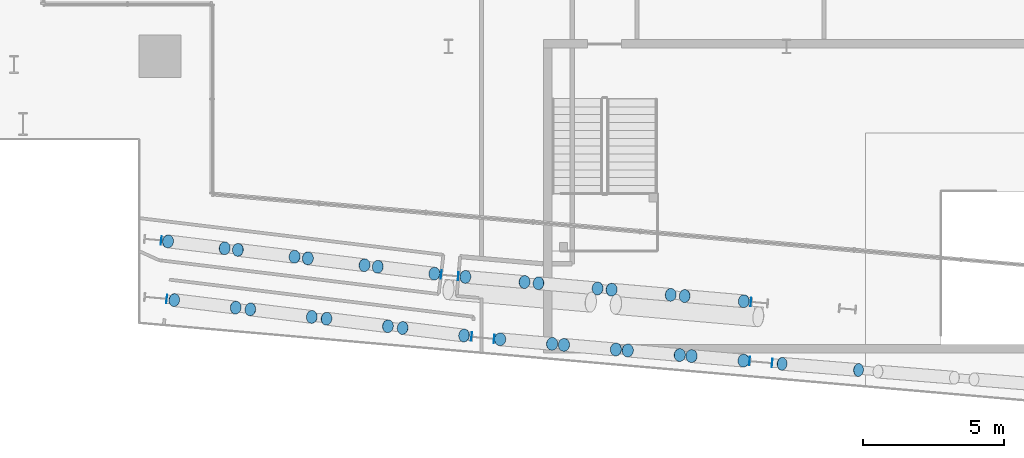
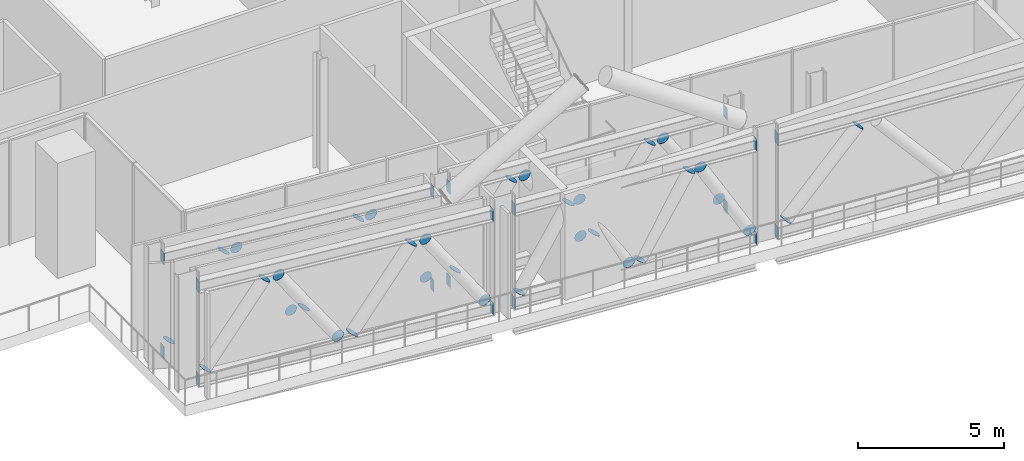
# One storey, part 27 of 42: 52 discrete accessories.
"""IFC4 building model written with IfcOpenShell, lengths in metres."""

from ifc_helpers import new_model, si_unit, direction, frame, origin, origin_2d, place, context, subcontext, project, spatial, rectangle, circle, extrude, material, material_profile, profile_set, type_object, element, save


model = new_model("IFC4")

# Units and contexts
model_context = context("Model", 3, precision=1e-05, world=origin(), true_north=direction((0.0, 1.0)))
body_context = subcontext(model_context, "Body", "Model", "MODEL_VIEW")
ifc_project = project(units=[si_unit("LENGTHUNIT", "METRE"), si_unit("AREAUNIT", "SQUARE_METRE"), si_unit("VOLUMEUNIT", "CUBIC_METRE"), si_unit("PLANEANGLEUNIT", "RADIAN"), si_unit("MASSUNIT", "GRAM", prefix="KILO")], contexts=[model_context])

# Site, building, storey
site_placement = place(None, origin())
site = spatial("IfcSite", under=ifc_project, at=site_placement, CompositionType="ELEMENT")
building_placement = place(site_placement, origin())
building = spatial("IfcBuilding", under=site, at=building_placement, Name="Wharfspan Tower", CompositionType="ELEMENT")
storey_placement = place(building_placement, frame((0.0, 0.0, 147.100098)))
storey = spatial("IfcBuildingStorey", under=building, at=storey_placement, Name="L35", CompositionType="ELEMENT", Elevation=147.100098)

# Discrete accessories
ifc_material_1 = material(Name="Steel S460NH", Category="steel")
ifc_material_profile_1 = material_profile(ifc_material_1, circle(Radius=0.228516, at=origin_2d()))
ifc_profile_set_1 = profile_set([ifc_material_profile_1], Name="Steel S460NH")
discrete_accessory_type_1 = type_object("IfcDiscreteAccessoryType", Name="End plate CHS 457x16", PredefinedType="BRACKET", material=ifc_profile_set_1)
for number, where, z_axis, x_axis, name in (
    (1, (14.031006, 4.572021, 0.614746), (0.530776, -0.072379, 0.844416), (0.135113, 0.990834, 1e-06), "End plate CHS 457x16"),
    (2, (16.044189, 4.328369, 3.776611), (0.54259, -0.049326, 0.838548), (0.090535, 0.995892, 0.0), "End plate CHS 457x16"),
    (3, (16.51416, 4.271484, 3.784912), (0.54259, -0.049326, -0.838548), (0.090535, 0.995892, 0.0), "End plate CHS 457x16"),
    (4, (18.527344, 4.027832, 0.623291), (0.53155, -0.048323, -0.845647), (0.090535, 0.995897, -1e-06), "End plate CHS 457x16"),
    (5, (18.997314, 3.970947, 0.614746), (0.53155, -0.048323, 0.845647), (0.090535, 0.995897, 1e-06), "End plate CHS 457x16"),
    (6, (21.010498, 3.727539, 3.776611), (0.541767, -0.073877, 0.837276), (0.135113, 0.990833, 0.0), "End plate CHS 457x16"),
    (7, (21.480469, 3.670654, 3.784912), (0.541767, -0.073877, -0.837276), (0.135113, 0.990833, 0.0), "End plate CHS 457x16"),
    (8, (23.493652, 3.427002, 0.623291), (0.530776, -0.072379, -0.844416), (0.135113, 0.990834, -1e-06), "End plate CHS 457x16"),
):
    element("IfcDiscreteAccessory", number, at=place(storey_placement, frame(where, z_axis=z_axis, x_axis=x_axis)), inside=storey, type_object=discrete_accessory_type_1, Name=name, PredefinedType="BRACKET", context=body_context, shape_type="SweptSolid", body=[
        extrude(circle(Radius=0.228516, at=origin_2d()), origin(), (0.0, 0.0, 1.0), 0.01001),
    ])
discrete_accessory_1_placement = place(storey_placement, frame((24.593262, 3.3125, 0.618408), z_axis=(0.548553, -0.0477, 0.834754), x_axis=(0.086629, 0.996239, 0.0)))
element("IfcDiscreteAccessory", 9, at=discrete_accessory_1_placement, inside=storey, type_object=discrete_accessory_type_1, Name="End plate CHS 457x16", PredefinedType="BRACKET", context=body_context, shape_type="SweptSolid", body=[
    extrude(circle(Radius=0.228516, at=origin_2d()), origin(), (0.0, 0.0, 1.0), 0.010254),
])
for number, where, z_axis, x_axis, name in (
    (10, (26.692871, 3.128906, 3.772949), (0.54259, -0.049326, 0.838548), (0.090535, 0.995892, 0.0), "End plate CHS 457x16"),
    (11, (27.188965, 3.085449, 3.78125), (0.559645, -0.048665, -0.827302), (0.086627, 0.99624, -2e-06), "End plate CHS 457x16"),
):
    element("IfcDiscreteAccessory", number, at=place(storey_placement, frame(where, z_axis=z_axis, x_axis=x_axis)), inside=storey, type_object=discrete_accessory_type_1, Name=name, PredefinedType="BRACKET", context=body_context, shape_type="SweptSolid", body=[
        extrude(circle(Radius=0.228516, at=origin_2d()), origin(), (0.0, 0.0, 1.0), 0.01001),
    ])
discrete_accessory_2_placement = place(storey_placement, frame((29.28833, 2.901855, 0.626953), z_axis=(0.548553, -0.0477, -0.834754), x_axis=(0.086629, 0.996239, 0.0)))
element("IfcDiscreteAccessory", 12, at=discrete_accessory_2_placement, inside=storey, type_object=discrete_accessory_type_1, Name="End plate CHS 457x16", PredefinedType="BRACKET", context=body_context, shape_type="SweptSolid", body=[
    extrude(circle(Radius=0.228516, at=origin_2d()), origin(), (0.0, 0.0, 1.0), 0.010254),
])
for number, where, z_axis, x_axis, name in (
    (13, (29.784668, 2.858398, 0.618408), (0.53155, -0.048323, 0.845647), (0.090535, 0.995897, 1e-06), "End plate CHS 457x16"),
    (14, (31.884033, 2.674561, 3.772949), (0.54259, -0.049326, 0.838548), (0.090535, 0.995892, 0.0), "End plate CHS 457x16"),
    (15, (32.380127, 2.631348, 3.78125), (0.559645, -0.048665, -0.827302), (0.086627, 0.99624, -2e-06), "End plate CHS 457x16"),
):
    element("IfcDiscreteAccessory", number, at=place(storey_placement, frame(where, z_axis=z_axis, x_axis=x_axis)), inside=storey, type_object=discrete_accessory_type_1, Name=name, PredefinedType="BRACKET", context=body_context, shape_type="SweptSolid", body=[
        extrude(circle(Radius=0.228516, at=origin_2d()), origin(), (0.0, 0.0, 1.0), 0.01001),
    ])
for number, where, z_axis, x_axis, name in (
    (16, (34.479492, 2.44751, 0.626953), (0.548553, -0.0477, -0.834754), (0.086629, 0.996239, 0.0), "End plate CHS 457x16"),
    (17, (14.253174, 2.488281, 0.622559), (0.575191, -0.071899, 0.814853), (0.124036, 0.992275, -1e-06), "End plate CHS 457x16"),
):
    element("IfcDiscreteAccessory", number, at=place(storey_placement, frame(where, z_axis=z_axis, x_axis=x_axis)), inside=storey, type_object=discrete_accessory_type_1, Name=name, PredefinedType="BRACKET", context=body_context, shape_type="SweptSolid", body=[
        extrude(circle(Radius=0.228516, at=origin_2d()), origin(), (0.0, 0.0, 1.0), 0.010254),
    ])
discrete_accessory_3_placement = place(storey_placement, frame((16.43457, 2.22168, 3.769043), z_axis=(0.558819, -0.072889, 0.82608), x_axis=(0.129337, 0.991601, 1e-06)))
element("IfcDiscreteAccessory", 18, at=discrete_accessory_3_placement, inside=storey, type_object=discrete_accessory_type_1, Name="End plate CHS 457x16", PredefinedType="BRACKET", context=body_context, shape_type="SweptSolid", body=[
    extrude(circle(Radius=0.228516, at=origin_2d()), origin(), (0.0, 0.0, 1.0), 0.01001),
])
discrete_accessory_4_placement = place(storey_placement, frame((16.956787, 2.157959, 3.777344), z_axis=(0.575191, -0.071899, -0.814853), x_axis=(0.124036, 0.992275, 1e-06)))
element("IfcDiscreteAccessory", 19, at=discrete_accessory_4_placement, inside=storey, type_object=discrete_accessory_type_1, Name="End plate CHS 457x16", PredefinedType="BRACKET", context=body_context, shape_type="SweptSolid", body=[
    extrude(circle(Radius=0.228516, at=origin_2d()), origin(), (0.0, 0.0, 1.0), 0.010254),
])
for number, where, z_axis, x_axis, name in (
    (20, (19.138184, 1.891113, 0.630859), (0.559645, -0.048665, -0.827302), (0.086627, 0.99624, -2e-06), "End plate CHS 457x16"),
    (21, (19.660645, 1.827393, 0.622559), (0.558819, -0.072889, 0.82608), (0.129337, 0.991601, 1e-06), "End plate CHS 457x16"),
    (22, (21.841797, 1.560791, 3.769043), (0.558819, -0.072889, 0.82608), (0.129337, 0.991601, 1e-06), "End plate CHS 457x16"),
    (23, (22.364258, 1.496826, 3.777344), (0.558819, -0.072889, -0.82608), (0.129337, 0.991601, -1e-06), "End plate CHS 457x16"),
):
    element("IfcDiscreteAccessory", number, at=place(storey_placement, frame(where, z_axis=z_axis, x_axis=x_axis)), inside=storey, type_object=discrete_accessory_type_1, Name=name, PredefinedType="BRACKET", context=body_context, shape_type="SweptSolid", body=[
        extrude(circle(Radius=0.228516, at=origin_2d()), origin(), (0.0, 0.0, 1.0), 0.01001),
    ])
discrete_accessory_5_placement = place(storey_placement, frame((24.54541, 1.230225, 0.630859), z_axis=(0.575191, -0.071899, -0.814853), x_axis=(0.124036, 0.992275, 1e-06)))
element("IfcDiscreteAccessory", 24, at=discrete_accessory_5_placement, inside=storey, type_object=discrete_accessory_type_1, Name="End plate CHS 457x16", PredefinedType="BRACKET", context=body_context, shape_type="SweptSolid", body=[
    extrude(circle(Radius=0.228516, at=origin_2d()), origin(), (0.0, 0.0, 1.0), 0.010254),
])
discrete_accessory_6_placement = place(storey_placement, frame((25.826416, 1.094971, 0.606445), z_axis=(0.495529, -0.049553, 0.867177), x_axis=(0.099504, 0.995038, 0.0)))
element("IfcDiscreteAccessory", 25, at=discrete_accessory_6_placement, inside=storey, type_object=discrete_accessory_type_1, Name="End plate CHS 457x16", PredefinedType="BRACKET", context=body_context, shape_type="SweptSolid", body=[
    extrude(circle(Radius=0.228516, at=origin_2d()), origin(), (0.0, 0.0, 1.0), 0.009766),
])
discrete_accessory_7_placement = place(storey_placement, frame((27.673096, 0.93335, 3.784668), z_axis=(0.503292, -0.047933, 0.862786), x_axis=(0.09481, 0.995496, 0.0)))
element("IfcDiscreteAccessory", 26, at=discrete_accessory_7_placement, inside=storey, type_object=discrete_accessory_type_1, Name="End plate CHS 457x16", PredefinedType="BRACKET", context=body_context, shape_type="SweptSolid", body=[
    extrude(circle(Radius=0.228516, at=origin_2d()), origin(), (0.0, 0.0, 1.0), 0.010254),
])
for number, where, z_axis, x_axis, name in (
    (27, (28.092529, 0.896729, 3.793457), (0.485071, -0.048507, -0.873128), (0.099505, 0.995034, 1e-06), "End plate CHS 457x16"),
    (28, (29.939209, 0.735107, 0.61499), (0.513879, -0.048941, -0.856465), (0.094811, 0.995495, 1e-06), "End plate CHS 457x16"),
):
    element("IfcDiscreteAccessory", number, at=place(storey_placement, frame(where, z_axis=z_axis, x_axis=x_axis)), inside=storey, type_object=discrete_accessory_type_1, Name=name, PredefinedType="BRACKET", context=body_context, shape_type="SweptSolid", body=[
        extrude(circle(Radius=0.228516, at=origin_2d()), origin(), (0.0, 0.0, 1.0), 0.01001),
    ])
discrete_accessory_8_placement = place(storey_placement, frame((30.358643, 0.698486, 0.606445), z_axis=(0.495529, -0.049553, 0.867177), x_axis=(0.099504, 0.995038, 0.0)))
element("IfcDiscreteAccessory", 29, at=discrete_accessory_8_placement, inside=storey, type_object=discrete_accessory_type_1, Name="End plate CHS 457x16", PredefinedType="BRACKET", context=body_context, shape_type="SweptSolid", body=[
    extrude(circle(Radius=0.228516, at=origin_2d()), origin(), (0.0, 0.0, 1.0), 0.009766),
])
discrete_accessory_9_placement = place(storey_placement, frame((32.205322, 0.536865, 3.784668), z_axis=(0.503292, -0.047933, 0.862786), x_axis=(0.09481, 0.995496, 0.0)))
element("IfcDiscreteAccessory", 30, at=discrete_accessory_9_placement, inside=storey, type_object=discrete_accessory_type_1, Name="End plate CHS 457x16", PredefinedType="BRACKET", context=body_context, shape_type="SweptSolid", body=[
    extrude(circle(Radius=0.228516, at=origin_2d()), origin(), (0.0, 0.0, 1.0), 0.010254),
])
for number, where, z_axis, x_axis, name in (
    (31, (32.624756, 0.500244, 3.793457), (0.485071, -0.048507, -0.873128), (0.099505, 0.995034, 1e-06), "End plate CHS 457x16"),
    (32, (34.471436, 0.338623, 0.61499), (0.513879, -0.048941, -0.856465), (0.094811, 0.995495, 1e-06), "End plate CHS 457x16"),
    (33, (35.838379, 0.224121, 0.643066), (0.656005, -0.048593, 0.753191), (0.073872, 0.997271, 0.0), "End plate CHS 457x16"),
    (34, (38.55249, 0.004883, 3.749268), (0.656005, -0.048593, 0.753191), (0.073872, 0.997271, 0.0), "End plate CHS 457x16"),
):
    element("IfcDiscreteAccessory", number, at=place(storey_placement, frame(where, z_axis=z_axis, x_axis=x_axis)), inside=storey, type_object=discrete_accessory_type_1, Name=name, PredefinedType="BRACKET", context=body_context, shape_type="SweptSolid", body=[
        extrude(circle(Radius=0.228516, at=origin_2d()), origin(), (0.0, 0.0, 1.0), 0.01001),
    ])
ifc_material_2 = material(Name="Steel S355J2", Category="steel")
ifc_material_profile_2 = material_profile(ifc_material_2, rectangle(XDim=0.300049, YDim=0.5, at=origin_2d()))
ifc_profile_set_2 = profile_set([ifc_material_profile_2], Name="Steel S355J2")
discrete_accessory_type_2 = type_object("IfcDiscreteAccessoryType", Name="End plate HEB 500", PredefinedType="BRACKET", material=ifc_profile_set_2)
discrete_accessory_10_placement = place(storey_placement, frame((13.788818, 4.601318, 4.149902), z_axis=(0.992278, -0.124035, 0.0), x_axis=(0.124035, 0.992278, 0.0)))
element("IfcDiscreteAccessory", 35, at=discrete_accessory_10_placement, inside=storey, type_object=discrete_accessory_type_2, Name="End plate HEB 500", PredefinedType="BRACKET", context=body_context, shape_type="SweptSolid", body=[
    extrude(rectangle(XDim=0.300049, YDim=0.5, at=origin_2d()), origin(), (0.0, 0.0, 1.0), 0.009766),
])
discrete_accessory_11_placement = place(storey_placement, frame((23.731201, 3.398193, 4.149902), z_axis=(0.992646, -0.121054, 0.0), x_axis=(0.121054, 0.992646, 0.0)))
element("IfcDiscreteAccessory", 36, at=discrete_accessory_11_placement, inside=storey, type_object=discrete_accessory_type_2, Name="End plate HEB 500", PredefinedType="BRACKET", context=body_context, shape_type="SweptSolid", body=[
    extrude(rectangle(XDim=0.300049, YDim=0.5, at=origin_2d()), origin(), (0.0, 0.0, 1.0), 0.01001),
])
discrete_accessory_12_placement = place(storey_placement, frame((13.788818, 4.601318, 0.25), z_axis=(0.992278, -0.124035, 0.0), x_axis=(0.124035, 0.992278, 0.0)))
element("IfcDiscreteAccessory", 37, at=discrete_accessory_12_placement, inside=storey, type_object=discrete_accessory_type_2, Name="End plate HEB 500", PredefinedType="BRACKET", context=body_context, shape_type="SweptSolid", body=[
    extrude(rectangle(XDim=0.300049, YDim=0.5, at=origin_2d()), origin(), (0.0, 0.0, 1.0), 0.009766),
])
for number, where, z_axis, x_axis, name in (
    (38, (23.731201, 3.398193, 0.25), (0.992646, -0.121054, 0.0), (0.121054, 0.992646, 0.0), "End plate HEB 500"),
    (39, (24.338135, 3.334717, 4.149902), (0.997334, -0.072976, 0.0), (0.072976, 0.997334, 0.0), "End plate HEB 500"),
    (40, (34.730469, 2.425537, 4.149902), (0.997334, -0.072976, 0.0), (0.072976, 0.997334, 0.0), "End plate HEB 500"),
    (41, (24.338135, 3.334717, 0.25), (0.997334, -0.072976, 0.0), (0.072976, 0.997334, 0.0), "End plate HEB 500"),
    (42, (34.730469, 2.425537, 0.25), (0.997334, -0.072976, 0.0), (0.072976, 0.997334, 0.0), "End plate HEB 500"),
):
    element("IfcDiscreteAccessory", number, at=place(storey_placement, frame(where, z_axis=z_axis, x_axis=x_axis)), inside=storey, type_object=discrete_accessory_type_2, Name=name, PredefinedType="BRACKET", context=body_context, shape_type="SweptSolid", body=[
        extrude(rectangle(XDim=0.300049, YDim=0.5, at=origin_2d()), origin(), (0.0, 0.0, 1.0), 0.01001),
    ])
for number, where, z_axis, x_axis, name in (
    (43, (13.985107, 2.52124, 4.149902), (0.992278, -0.124035, 0.0), (0.124035, 0.992278, 0.0), "End plate HEB 500"),
    (44, (24.80957, 1.197998, 4.149902), (0.992278, -0.124035, 0.0), (0.124035, 0.992278, 0.0), "End plate HEB 500"),
    (45, (13.985107, 2.52124, 0.25), (0.992278, -0.124035, 0.0), (0.124035, 0.992278, 0.0), "End plate HEB 500"),
    (46, (24.80957, 1.197998, 0.25), (0.992278, -0.124035, 0.0), (0.124035, 0.992278, 0.0), "End plate HEB 500"),
):
    element("IfcDiscreteAccessory", number, at=place(storey_placement, frame(where, z_axis=z_axis, x_axis=x_axis)), inside=storey, type_object=discrete_accessory_type_2, Name=name, PredefinedType="BRACKET", context=body_context, shape_type="SweptSolid", body=[
        extrude(rectangle(XDim=0.300049, YDim=0.5, at=origin_2d()), origin(), (0.0, 0.0, 1.0), 0.009766),
    ])
for number, where, z_axis, x_axis, name in (
    (47, (25.609131, 1.114014, 4.149902), (0.995275, -0.0971, 0.0), (0.0971, 0.995275, 0.0), "End plate HEB 500"),
    (48, (34.683594, 0.320068, 4.149902), (0.995275, -0.0971, 0.0), (0.0971, 0.995275, 0.0), "End plate HEB 500"),
    (49, (25.609131, 1.114014, 0.25), (0.995275, -0.0971, 0.0), (0.0971, 0.995275, 0.0), "End plate HEB 500"),
    (50, (34.683594, 0.320068, 0.25), (0.995275, -0.0971, 0.0), (0.0971, 0.995275, 0.0), "End plate HEB 500"),
    (51, (35.484863, 0.252686, 4.149902), (0.995275, -0.0971, 0.0), (0.0971, 0.995275, 0.0), "End plate HEB 500"),
    (52, (35.484863, 0.252686, 0.25), (0.995275, -0.0971, 0.0), (0.0971, 0.995275, 0.0), "End plate HEB 500"),
):
    element("IfcDiscreteAccessory", number, at=place(storey_placement, frame(where, z_axis=z_axis, x_axis=x_axis)), inside=storey, type_object=discrete_accessory_type_2, Name=name, PredefinedType="BRACKET", context=body_context, shape_type="SweptSolid", body=[
        extrude(rectangle(XDim=0.300049, YDim=0.5, at=origin_2d()), origin(), (0.0, 0.0, 1.0), 0.01001),
    ])

save(model, "model.ifc")
